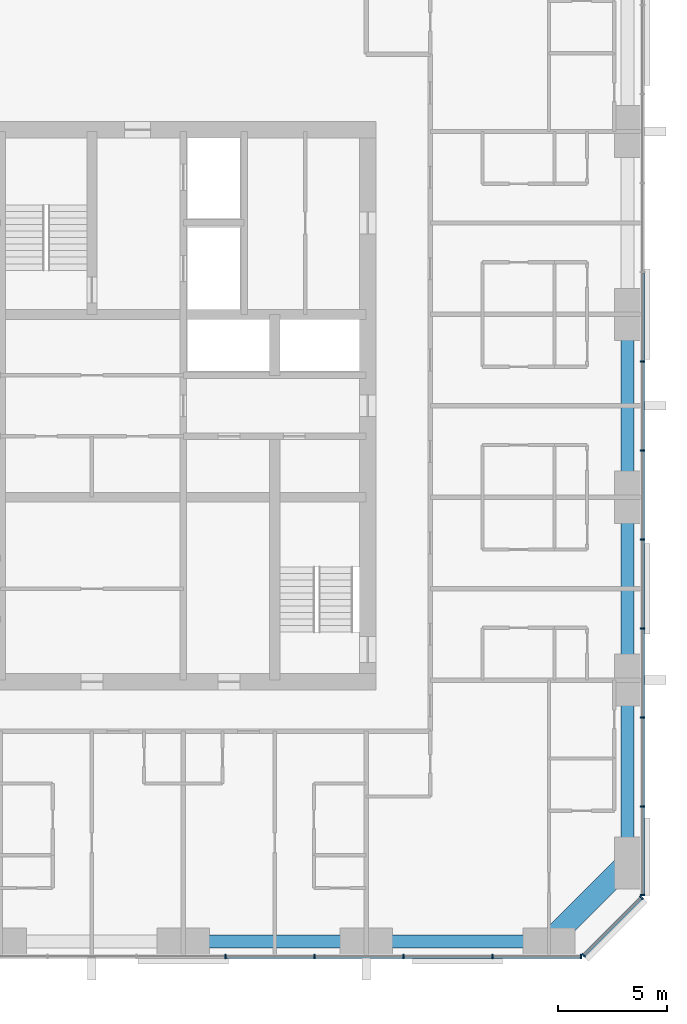
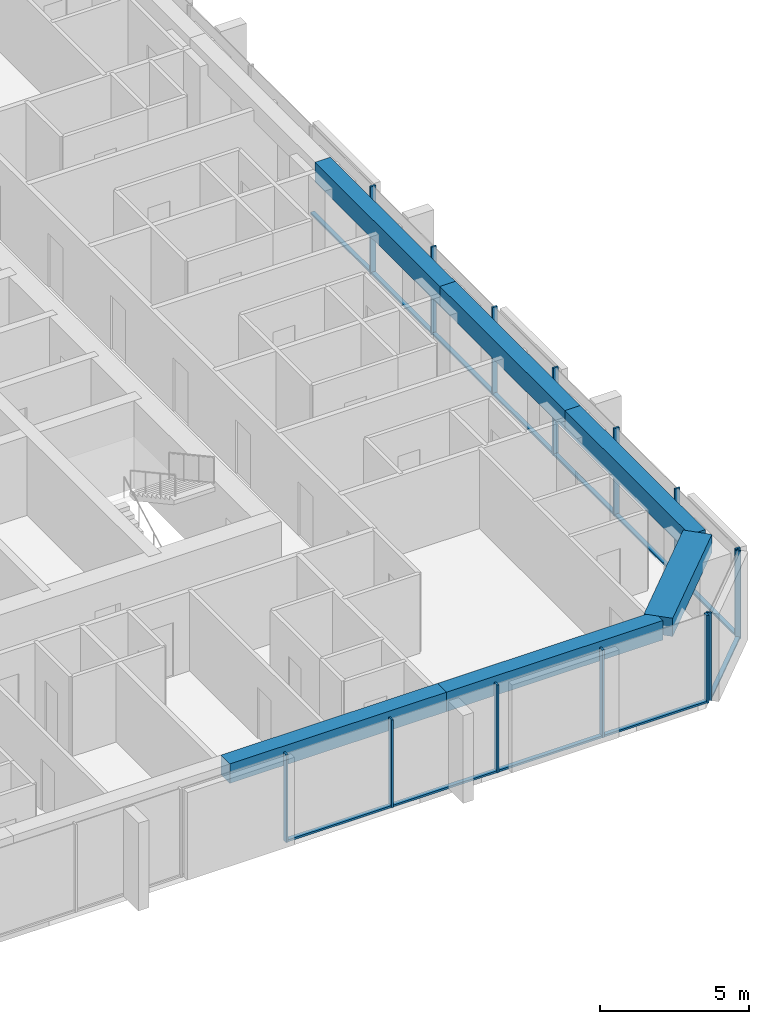
# One storey, part 4 of 14: 26 members, 6 beams, 3 elements without a shape of their own.
"""IFC4 building model written with IfcOpenShell, lengths in metres."""

from ifc_helpers import new_model, si_unit, direction, frame, origin, origin_2d, place, context, subcontext, project, spatial, rectangle, extrude, material, material_profile, profile_set, type_object, element, aggregate, save


model = new_model("IFC4")

# Units and contexts
model_context = context("Model", 3, precision=1e-05, world=origin(), true_north=direction((0.0, 1.0)))
body_context = subcontext(model_context, "Body", "Model", "MODEL_VIEW")
ifc_project = project(units=[si_unit("LENGTHUNIT", "METRE"), si_unit("AREAUNIT", "SQUARE_METRE"), si_unit("VOLUMEUNIT", "CUBIC_METRE"), si_unit("PLANEANGLEUNIT", "RADIAN"), si_unit("MASSUNIT", "GRAM", prefix="KILO")], contexts=[model_context])

# Site, building, storey
site_placement = place(None, origin())
site = spatial("IfcSite", under=ifc_project, at=site_placement, CompositionType="ELEMENT")
building_placement = place(site_placement, origin())
building = spatial("IfcBuilding", under=site, at=building_placement, Name="Dunama Terrace Hotel", CompositionType="ELEMENT")
storey_placement = place(building_placement, frame((0.0, 0.0, 177.0)))
storey = spatial("IfcBuildingStorey", under=building, at=storey_placement, Name="L45", CompositionType="ELEMENT", Elevation=177.0)

# Curtain wall, members
ifc_material_1 = material(Name="Aluminium curtain wall system", Category="aluminium")
curtain_wall_type = type_object("IfcCurtainWallType", Name="Unitised fritted glass wall CW-C", PredefinedType="NOTDEFINED", material=ifc_material_1)
curtain_wall_1_placement = place(storey_placement, origin())
curtain_wall_1 = element("IfcCurtainWall", 1, at=curtain_wall_1_placement, inside=storey, type_object=curtain_wall_type, Name="Unitised fritted glass wall CW-C L45", PredefinedType="NOTDEFINED")
ifc_material_2 = material(Name="Aluminium mullion", Category="aluminium")
ifc_material_profile_1 = material_profile(ifc_material_2, rectangle(XDim=0.070068359375, YDim=0.199951171875, at=origin_2d()), Name="CWC MULLION 70X200")
ifc_profile_set_1 = profile_set([ifc_material_profile_1], Name="Aluminium mullion")
member_type_1 = type_object("IfcMemberType", Name="CWC mullion 70x200", PredefinedType="MULLION", material=ifc_profile_set_1)
member_1_placement = place(storey_placement, frame((35.535888671875, 4.10009765625, 0.0), z_axis=(0.0, 0.0, 1.0), x_axis=(1.0, 0.0, 0.0)))
member_1 = element("IfcMember", 2, at=member_1_placement, type_object=member_type_1, Name="CWC mullion", PredefinedType="MULLION", context=body_context, shape_type="SweptSolid", body=[
    extrude(rectangle(XDim=0.070068359375, YDim=0.199951171875, at=origin_2d()), origin(), (0.0, 0.0, 1.0), 3.60009765625),
])
member_2_placement = place(storey_placement, frame((39.626953125, 4.10009765625, 0.0), z_axis=(0.0, 0.0, 1.0), x_axis=(1.0, 0.0, 0.0)))
member_2 = element("IfcMember", 3, at=member_2_placement, type_object=member_type_1, Name="CWC mullion", PredefinedType="MULLION", context=body_context, shape_type="SweptSolid", body=[
    extrude(rectangle(XDim=0.070068359375, YDim=0.199951171875, at=origin_2d()), origin(), (0.0, 0.0, 1.0), 3.60009765625),
])
member_3_placement = place(storey_placement, frame((43.718017578125, 4.10009765625, 0.0), z_axis=(0.0, 0.0, 1.0), x_axis=(1.0, 0.0, 0.0)))
member_3 = element("IfcMember", 4, at=member_3_placement, type_object=member_type_1, Name="CWC mullion", PredefinedType="MULLION", context=body_context, shape_type="SweptSolid", body=[
    extrude(rectangle(XDim=0.070068359375, YDim=0.199951171875, at=origin_2d()), origin(), (0.0, 0.0, 1.0), 3.60009765625),
])
member_4_placement = place(storey_placement, frame((47.80908203125, 4.10009765625, 0.0), z_axis=(0.0, 0.0, 1.0), x_axis=(1.0, 0.0, 0.0)))
member_4 = element("IfcMember", 5, at=member_4_placement, type_object=member_type_1, Name="CWC mullion", PredefinedType="MULLION", context=body_context, shape_type="SweptSolid", body=[
    extrude(rectangle(XDim=0.070068359375, YDim=0.199951171875, at=origin_2d()), origin(), (0.0, 0.0, 1.0), 3.60009765625),
])
member_5_placement = place(storey_placement, frame((51.864990234375, 4.10009765625, 0.0), z_axis=(0.0, 0.0, 1.0), x_axis=(1.0, 0.0, 0.0)))
member_5 = element("IfcMember", 6, at=member_5_placement, type_object=member_type_1, Name="CWC mullion", PredefinedType="MULLION", context=body_context, shape_type="SweptSolid", body=[
    extrude(rectangle(XDim=0.070068359375, YDim=0.199951171875, at=origin_2d()), origin(), (0.0, 0.0, 1.0), 3.60009765625),
])

curtain_wall_2_placement = place(storey_placement, origin())
curtain_wall_2 = element("IfcCurtainWall", 7, at=curtain_wall_2_placement, inside=storey, type_object=curtain_wall_type, Name="Unitised fritted glass wall CW-C L45", PredefinedType="NOTDEFINED")
member_6_placement = place(storey_placement, frame((51.9951171875, 4.154052734375, 0.0), z_axis=(0.0, 0.0, 1.0), x_axis=(0.707106781187, 0.707106781187, 0.0)))
member_6 = element("IfcMember", 8, at=member_6_placement, type_object=member_type_1, Name="CWC mullion", PredefinedType="MULLION", context=body_context, shape_type="SweptSolid", body=[
    extrude(rectangle(XDim=0.070068359375, YDim=0.199951171875, at=origin_2d()), origin(), (0.0, 0.0, 1.0), 3.60009765625),
])
member_7_placement = place(storey_placement, frame((54.64599609375, 6.804931640625, 0.0), z_axis=(0.0, 0.0, 1.0), x_axis=(0.707106781187, 0.707106781187, 0.0)))
member_7 = element("IfcMember", 9, at=member_7_placement, type_object=member_type_1, Name="CWC mullion", PredefinedType="MULLION", context=body_context, shape_type="SweptSolid", body=[
    extrude(rectangle(XDim=0.070068359375, YDim=0.199951171875, at=origin_2d()), origin(), (0.0, 0.0, 1.0), 3.60009765625),
])

curtain_wall_3_placement = place(storey_placement, origin())
curtain_wall_3 = element("IfcCurtainWall", 10, at=curtain_wall_3_placement, inside=storey, type_object=curtain_wall_type, Name="Unitised fritted glass wall CW-C L45", PredefinedType="NOTDEFINED")
member_8_placement = place(storey_placement, frame((54.699951171875, 6.93505859375, 0.0), z_axis=(0.0, 0.0, 1.0), x_axis=(0.0, 1.0, 0.0)))
member_8 = element("IfcMember", 11, at=member_8_placement, type_object=member_type_1, Name="CWC mullion", PredefinedType="MULLION", context=body_context, shape_type="SweptSolid", body=[
    extrude(rectangle(XDim=0.070068359375, YDim=0.199951171875, at=origin_2d()), origin(), (0.0, 0.0, 1.0), 3.60009765625),
])
member_9_placement = place(storey_placement, frame((54.699951171875, 10.990966796875, 0.0), z_axis=(0.0, 0.0, 1.0), x_axis=(0.0, 1.0, 0.0)))
member_9 = element("IfcMember", 12, at=member_9_placement, type_object=member_type_1, Name="CWC mullion", PredefinedType="MULLION", context=body_context, shape_type="SweptSolid", body=[
    extrude(rectangle(XDim=0.070068359375, YDim=0.199951171875, at=origin_2d()), origin(), (0.0, 0.0, 1.0), 3.60009765625),
])
member_10_placement = place(storey_placement, frame((54.699951171875, 15.08203125, 0.0), z_axis=(0.0, 0.0, 1.0), x_axis=(0.0, 1.0, 0.0)))
member_10 = element("IfcMember", 13, at=member_10_placement, type_object=member_type_1, Name="CWC mullion", PredefinedType="MULLION", context=body_context, shape_type="SweptSolid", body=[
    extrude(rectangle(XDim=0.070068359375, YDim=0.199951171875, at=origin_2d()), origin(), (0.0, 0.0, 1.0), 3.60009765625),
])
member_11_placement = place(storey_placement, frame((54.699951171875, 19.173095703125, 0.0), z_axis=(0.0, 0.0, 1.0), x_axis=(0.0, 1.0, 0.0)))
member_11 = element("IfcMember", 14, at=member_11_placement, type_object=member_type_1, Name="CWC mullion", PredefinedType="MULLION", context=body_context, shape_type="SweptSolid", body=[
    extrude(rectangle(XDim=0.070068359375, YDim=0.199951171875, at=origin_2d()), origin(), (0.0, 0.0, 1.0), 3.60009765625),
])
member_12_placement = place(storey_placement, frame((54.699951171875, 23.263916015625, 0.0), z_axis=(0.0, 0.0, 1.0), x_axis=(0.0, 1.0, 0.0)))
member_12 = element("IfcMember", 15, at=member_12_placement, type_object=member_type_1, Name="CWC mullion", PredefinedType="MULLION", context=body_context, shape_type="SweptSolid", body=[
    extrude(rectangle(XDim=0.070068359375, YDim=0.199951171875, at=origin_2d()), origin(), (0.0, 0.0, 1.0), 3.60009765625),
])
member_13_placement = place(storey_placement, frame((54.699951171875, 27.35498046875, 0.0), z_axis=(0.0, 0.0, 1.0), x_axis=(0.0, 1.0, 0.0)))
member_13 = element("IfcMember", 16, at=member_13_placement, type_object=member_type_1, Name="CWC mullion", PredefinedType="MULLION", context=body_context, shape_type="SweptSolid", body=[
    extrude(rectangle(XDim=0.070068359375, YDim=0.199951171875, at=origin_2d()), origin(), (0.0, 0.0, 1.0), 3.60009765625),
])
member_14_placement = place(storey_placement, frame((54.699951171875, 31.445068359375, 0.0), z_axis=(0.0, 0.0, 1.0), x_axis=(0.0, 1.0, 0.0)))
member_14 = element("IfcMember", 17, at=member_14_placement, type_object=member_type_1, Name="CWC mullion", PredefinedType="MULLION", context=body_context, shape_type="SweptSolid", body=[
    extrude(rectangle(XDim=0.070068359375, YDim=0.199951171875, at=origin_2d()), origin(), (0.0, 0.0, 1.0), 3.60009765625),
])

# Member
ifc_material_3 = material(Name="Aluminium transom", Category="aluminium")
ifc_material_profile_2 = material_profile(ifc_material_3, rectangle(XDim=0.159912109375, YDim=0.080078125, at=origin_2d()), Name="CWC TRANSOM 160X80")
ifc_profile_set_2 = profile_set([ifc_material_profile_2], Name="Aluminium transom")
member_type_2 = type_object("IfcMemberType", Name="CWC transom 160x80", PredefinedType="USERDEFINED", material=ifc_profile_set_2)
member_15_placement = place(storey_placement, frame((35.571044921875, 4.10009765625, 0.0400390625), z_axis=(1.0, 0.0, 0.0), x_axis=(0.0, 1.0, 0.0)))
member_15 = element("IfcMember", 18, at=member_15_placement, type_object=member_type_2, Name="CWC transom", ObjectType="TRANSOM", PredefinedType="USERDEFINED", context=body_context, shape_type="SweptSolid", body=[
    extrude(rectangle(XDim=0.159912109375, YDim=0.080078125, at=origin_2d()), origin(), (0.0, 0.0, 1.0), 4.02099609375),
])

member_16_placement = place(storey_placement, frame((39.662109375, 4.10009765625, 0.0400390625), z_axis=(1.0, 0.0, 0.0), x_axis=(0.0, 1.0, 0.0)))
member_16 = element("IfcMember", 19, at=member_16_placement, type_object=member_type_2, Name="CWC transom", ObjectType="TRANSOM", PredefinedType="USERDEFINED", context=body_context, shape_type="SweptSolid", body=[
    extrude(rectangle(XDim=0.159912109375, YDim=0.080078125, at=origin_2d()), origin(), (0.0, 0.0, 1.0), 4.02099609375),
])

member_17_placement = place(storey_placement, frame((43.7529296875, 4.10009765625, 0.0400390625), z_axis=(1.0, 0.0, 0.0), x_axis=(0.0, 1.0, 0.0)))
member_17 = element("IfcMember", 20, at=member_17_placement, type_object=member_type_2, Name="CWC transom", ObjectType="TRANSOM", PredefinedType="USERDEFINED", context=body_context, shape_type="SweptSolid", body=[
    extrude(rectangle(XDim=0.159912109375, YDim=0.080078125, at=origin_2d()), origin(), (0.0, 0.0, 1.0), 4.02099609375),
])

member_18_placement = place(storey_placement, frame((47.843994140625, 4.10009765625, 0.0400390625), z_axis=(1.0, 0.0, 0.0), x_axis=(0.0, 1.0, 0.0)))
member_18 = element("IfcMember", 21, at=member_18_placement, type_object=member_type_2, Name="CWC transom", ObjectType="TRANSOM", PredefinedType="USERDEFINED", context=body_context, shape_type="SweptSolid", body=[
    extrude(rectangle(XDim=0.159912109375, YDim=0.080078125, at=origin_2d()), origin(), (0.0, 0.0, 1.0), 3.986083984375),
])

aggregate(curtain_wall_1, [member_1, member_2, member_3, member_4, member_5, member_15, member_16, member_17, member_18])

member_19_placement = place(storey_placement, frame((52.02001953125, 4.178955078125, 0.0400390625), z_axis=(0.707106781187, 0.707106781187, 0.0), x_axis=(-0.707106781187, 0.707106781187, 0.0)))
member_19 = element("IfcMember", 22, at=member_19_placement, type_object=member_type_2, Name="CWC transom", ObjectType="TRANSOM", PredefinedType="USERDEFINED", context=body_context, shape_type="SweptSolid", body=[
    extrude(rectangle(XDim=0.159912109375, YDim=0.080078125, at=origin_2d()), origin(), (0.0, 0.0, 1.0), 3.678466796875),
])

aggregate(curtain_wall_2, [member_6, member_7, member_19])

member_20_placement = place(storey_placement, frame((54.699951171875, 6.969970703125, 0.0400390625), z_axis=(0.0, 1.0, 0.0), x_axis=(-1.0, 0.0, 0.0)))
member_20 = element("IfcMember", 23, at=member_20_placement, type_object=member_type_2, Name="CWC transom", ObjectType="TRANSOM", PredefinedType="USERDEFINED", context=body_context, shape_type="SweptSolid", body=[
    extrude(rectangle(XDim=0.159912109375, YDim=0.080078125, at=origin_2d()), origin(), (0.0, 0.0, 1.0), 3.986083984375),
])

member_21_placement = place(storey_placement, frame((54.699951171875, 11.02587890625, 0.0400390625), z_axis=(0.0, 1.0, 0.0), x_axis=(-1.0, 0.0, 0.0)))
member_21 = element("IfcMember", 24, at=member_21_placement, type_object=member_type_2, Name="CWC transom", ObjectType="TRANSOM", PredefinedType="USERDEFINED", context=body_context, shape_type="SweptSolid", body=[
    extrude(rectangle(XDim=0.159912109375, YDim=0.080078125, at=origin_2d()), origin(), (0.0, 0.0, 1.0), 4.021240234375),
])

member_22_placement = place(storey_placement, frame((54.699951171875, 15.116943359375, 0.0400390625), z_axis=(0.0, 1.0, 0.0), x_axis=(-1.0, 0.0, 0.0)))
member_22 = element("IfcMember", 25, at=member_22_placement, type_object=member_type_2, Name="CWC transom", ObjectType="TRANSOM", PredefinedType="USERDEFINED", context=body_context, shape_type="SweptSolid", body=[
    extrude(rectangle(XDim=0.159912109375, YDim=0.080078125, at=origin_2d()), origin(), (0.0, 0.0, 1.0), 4.02099609375),
])

member_23_placement = place(storey_placement, frame((54.699951171875, 19.2080078125, 0.0400390625), z_axis=(0.0, 1.0, 0.0), x_axis=(-1.0, 0.0, 0.0)))
member_23 = element("IfcMember", 26, at=member_23_placement, type_object=member_type_2, Name="CWC transom", ObjectType="TRANSOM", PredefinedType="USERDEFINED", context=body_context, shape_type="SweptSolid", body=[
    extrude(rectangle(XDim=0.159912109375, YDim=0.080078125, at=origin_2d()), origin(), (0.0, 0.0, 1.0), 4.02099609375),
])

member_24_placement = place(storey_placement, frame((54.699951171875, 23.299072265625, 0.0400390625), z_axis=(0.0, 1.0, 0.0), x_axis=(-1.0, 0.0, 0.0)))
member_24 = element("IfcMember", 27, at=member_24_placement, type_object=member_type_2, Name="CWC transom", ObjectType="TRANSOM", PredefinedType="USERDEFINED", context=body_context, shape_type="SweptSolid", body=[
    extrude(rectangle(XDim=0.159912109375, YDim=0.080078125, at=origin_2d()), origin(), (0.0, 0.0, 1.0), 4.02099609375),
])

member_25_placement = place(storey_placement, frame((54.699951171875, 27.389892578125, 0.0400390625), z_axis=(0.0, 1.0, 0.0), x_axis=(-1.0, 0.0, 0.0)))
member_25 = element("IfcMember", 28, at=member_25_placement, type_object=member_type_2, Name="CWC transom", ObjectType="TRANSOM", PredefinedType="USERDEFINED", context=body_context, shape_type="SweptSolid", body=[
    extrude(rectangle(XDim=0.159912109375, YDim=0.080078125, at=origin_2d()), origin(), (0.0, 0.0, 1.0), 4.02001953125),
])

member_26_placement = place(storey_placement, frame((54.699951171875, 31.47998046875, 0.0400390625), z_axis=(0.0, 1.0, 0.0), x_axis=(-1.0, 0.0, 0.0)))
member_26 = element("IfcMember", 29, at=member_26_placement, type_object=member_type_2, Name="CWC transom", ObjectType="TRANSOM", PredefinedType="USERDEFINED", context=body_context, shape_type="SweptSolid", body=[
    extrude(rectangle(XDim=0.159912109375, YDim=0.080078125, at=origin_2d()), origin(), (0.0, 0.0, 1.0), 4.02099609375),
])

aggregate(curtain_wall_3, [member_8, member_9, member_10, member_11, member_12, member_13, member_14, member_20, member_21, member_22, member_23, member_24, member_25, member_26])

# Beams
ifc_material_4 = material(Name="Concrete C50/60", Category="concrete")
ifc_material_profile_3 = material_profile(ifc_material_4, rectangle(XDim=1.0, YDim=0.75, at=origin_2d()), Name="RC 1000x750")
ifc_profile_set_3 = profile_set([ifc_material_profile_3], Name="Concrete C50/60")
beam_type_1 = type_object("IfcBeamType", Name="Edge beam RC 1000x750", PredefinedType="SPANDREL", material=ifc_profile_set_3)
beam_1_placement = place(storey_placement, frame((50.39990234375, 4.800048828125, 3.22509765625), z_axis=(0.707130757816, 0.707082803744, 0.0), x_axis=(-0.707082803744, 0.707130757816, 0.0)))
element("IfcBeam", 30, at=beam_1_placement, inside=storey, type_object=beam_type_1, Name="Corner edge beam under L46", PredefinedType="SPANDREL", context=body_context, shape_type="SweptSolid", body=[
    extrude(rectangle(XDim=1.0, YDim=0.75, at=origin_2d()), origin(), (0.0, 0.0, 1.0), 5.091064453125),
])
ifc_material_5 = material(Name="Concrete C40/50", Category="concrete")
ifc_material_profile_4 = material_profile(ifc_material_5, rectangle(XDim=0.60009765625, YDim=0.800048828125, at=origin_2d()), Name="RC 600x800")
ifc_profile_set_4 = profile_set([ifc_material_profile_4], Name="Concrete C40/50")
beam_type_2 = type_object("IfcBeamType", Name="Edge beam RC 600x800", PredefinedType="SPANDREL", material=ifc_profile_set_4)
beam_2_placement = place(storey_placement, frame((54.0, 8.39990234375, 3.199951171875), z_axis=(0.0, 1.0, 0.0), x_axis=(-1.0, 0.0, 0.0)))
element("IfcBeam", 31, at=beam_2_placement, inside=storey, type_object=beam_type_2, Name="Edge beam under L46", PredefinedType="SPANDREL", context=body_context, shape_type="SweptSolid", body=[
    extrude(rectangle(XDim=0.60009765625, YDim=0.800048828125, at=origin_2d()), origin(), (0.0, 0.0, 1.0), 8.400146484375),
])
beam_3_placement = place(storey_placement, frame((54.0, 16.800048828125, 3.199951171875), z_axis=(0.0, 1.0, 0.0), x_axis=(-1.0, 0.0, 0.0)))
element("IfcBeam", 32, at=beam_3_placement, inside=storey, type_object=beam_type_2, Name="Edge beam under L46", PredefinedType="SPANDREL", context=body_context, shape_type="SweptSolid", body=[
    extrude(rectangle(XDim=0.60009765625, YDim=0.800048828125, at=origin_2d()), origin(), (0.0, 0.0, 1.0), 8.39990234375),
])
beam_4_placement = place(storey_placement, frame((54.0, 25.199951171875, 3.199951171875), z_axis=(0.0, 1.0, 0.0), x_axis=(-1.0, 0.0, 0.0)))
element("IfcBeam", 33, at=beam_4_placement, inside=storey, type_object=beam_type_2, Name="Edge beam under L46", PredefinedType="SPANDREL", context=body_context, shape_type="SweptSolid", body=[
    extrude(rectangle(XDim=0.60009765625, YDim=0.800048828125, at=origin_2d()), origin(), (0.0, 0.0, 1.0), 8.400146484375),
])
for number, where, z_axis, x_axis, name in (
    (34, (33.60009765625, 4.800048828125, 3.199951171875), (1.0, 0.0, 0.0), (0.0, 1.0, 0.0), "Edge beam under L46"),
    (35, (42.0, 4.800048828125, 3.199951171875), (1.0, 0.0, 0.0), (0.0, 1.0, 0.0), "Edge beam under L46"),
):
    element("IfcBeam", number, at=place(storey_placement, frame(where, z_axis=z_axis, x_axis=x_axis)), inside=storey, type_object=beam_type_2, Name=name, PredefinedType="SPANDREL", context=body_context, shape_type="SweptSolid", body=[
        extrude(rectangle(XDim=0.60009765625, YDim=0.800048828125, at=origin_2d()), origin(), (0.0, 0.0, 1.0), 8.39990234375),
    ])

save(model, "model.ifc")
